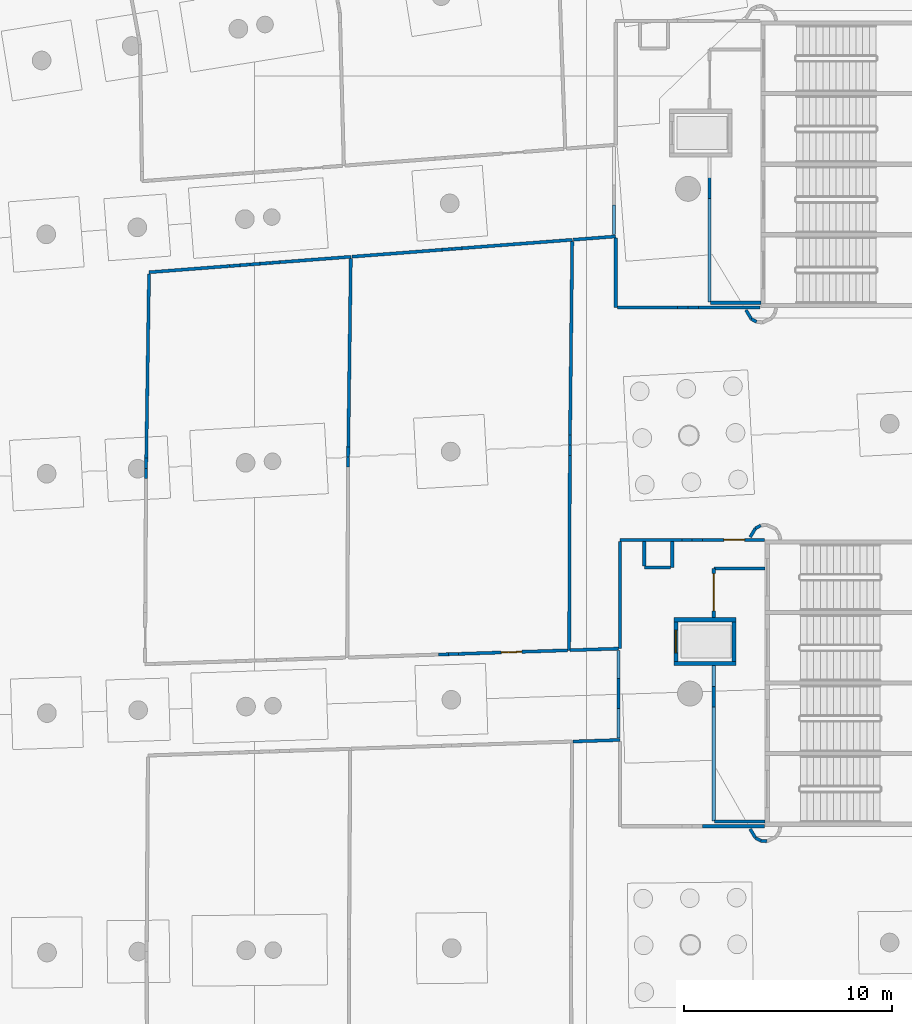
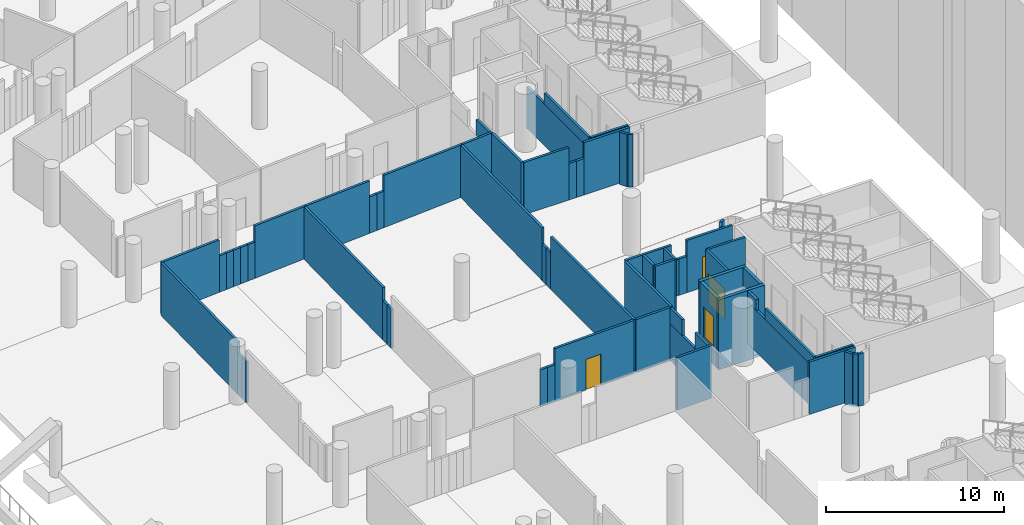
# One storey, part 83 of 142: 65 walls, 4 doors, 4 openings.
"""IFC4 building model written with IfcOpenShell, lengths in metres."""

import ifcopenshell
import ifcopenshell.guid

model = None  # the IFC model being written
_history = None  # IfcOwnerHistory: only IFC2X3 demands one
_inside = {}  # id of a spatial element -> (the spatial element, [elements in it])
_under = {}  # id of a project, library or spatial element -> (it, [spatial elements below it])
_declared = {}  # id of a project -> (the project, [libraries it declares])
_typed = {}  # id of a type object -> (the type object, [elements of that type])
_made_of = {}  # id of a material, layer set ... -> (it, [elements and type objects made of it])


def new_model(schema):
    """Start an empty IFC model of exactly this schema.

    Asked for "IFC4X3", IfcOpenShell would pick the latest addendum, in which some entities
    have other attributes; the version numbers below select the first issue.
    IFC2X3 requires an IfcOwnerHistory on every rooted entity: one is made here for all.
    """
    global model, _history
    if schema == "IFC4X3":
        model = ifcopenshell.file(schema_version=(4, 3, 0, 0))
    else:
        model = ifcopenshell.file(schema=schema)
    _inside.clear()
    _under.clear()
    _declared.clear()
    _typed.clear()
    _made_of.clear()
    _history = None
    if model.schema == "IFC2X3":
        org = make("IfcOrganization", Name="unknown")
        user = make(
            "IfcPersonAndOrganization",
            ThePerson=make("IfcPerson", FamilyName="unknown"),
            TheOrganization=org,
        )
        app = make(
            "IfcApplication",
            ApplicationDeveloper=org,
            Version="unknown",
            ApplicationFullName="unknown",
            ApplicationIdentifier="unknown",
        )
        _history = make(
            "IfcOwnerHistory",
            OwningUser=user,
            OwningApplication=app,
            ChangeAction="ADDED",
            CreationDate=0,
        )
    return model


def make(cls, **values):
    """One entity of the class cls with the attributes given. An attribute that is None is left unset."""
    return model.create_entity(
        cls, **{name: value for name, value in values.items() if value is not None}
    )


def rooted(cls, **values):
    """An entity with a GlobalId (a new one), such as an element, a storey or a relation."""
    return make(cls, GlobalId=ifcopenshell.guid.new(), OwnerHistory=_history, **values)


def si_unit(unit_type, name, prefix=None):
    """IfcSIUnit, for example si_unit("LENGTHUNIT", "METRE", prefix="MILLI")."""
    return make("IfcSIUnit", UnitType=unit_type, Prefix=prefix, Name=name)


def assignment(units):
    """IfcUnitAssignment: the units of a project."""
    return None if units is None else make("IfcUnitAssignment", Units=units)


def point(xyz):
    """IfcCartesianPoint."""
    return None if xyz is None else make("IfcCartesianPoint", Coordinates=xyz)


def direction(xyz):
    """IfcDirection."""
    return None if xyz is None else make("IfcDirection", DirectionRatios=xyz)


def frame(location, z_axis=None, x_axis=None):
    """IfcAxis2Placement3D, a coordinate frame: its origin and axes. An axis left out is left unset."""
    return make(
        "IfcAxis2Placement3D",
        Location=point(location),
        Axis=direction(z_axis),
        RefDirection=direction(x_axis),
    )


def frame_2d(location, x_axis=None):
    """IfcAxis2Placement2D, a coordinate frame in the plane: its origin and x axis."""
    return make(
        "IfcAxis2Placement2D", Location=point(location), RefDirection=direction(x_axis)
    )


def origin():
    """The frame at (0, 0, 0) with its axes left unset."""
    return frame((0.0, 0.0, 0.0))


def place(relative_to, where):
    """IfcLocalPlacement: puts the frame where relative to a parent placement (None: the world)."""
    return make(
        "IfcLocalPlacement", PlacementRelTo=relative_to, RelativePlacement=where
    )


def context(
    kind, dimensions, precision=None, world=None, true_north=None, identifier=None
):
    """IfcGeometricRepresentationContext, for example the 3D "Model" context."""
    return make(
        "IfcGeometricRepresentationContext",
        ContextIdentifier=identifier,
        ContextType=kind,
        CoordinateSpaceDimension=dimensions,
        Precision=precision,
        WorldCoordinateSystem=world,
        TrueNorth=true_north,
    )


def subcontext(parent, identifier, kind, view, scale=None):
    """IfcGeometricRepresentationSubContext, for example "Body" below "Model"."""
    return make(
        "IfcGeometricRepresentationSubContext",
        ContextIdentifier=identifier,
        ContextType=kind,
        ParentContext=parent,
        TargetScale=scale,
        TargetView=view,
    )


def project(units=None, contexts=None):
    """IfcProject with its units and contexts."""
    return rooted(
        "IfcProject",
        Name="project",
        RepresentationContexts=contexts,
        UnitsInContext=assignment(units),
    )


def spatial(cls, under=None, at=None, **own):
    """A site, building, storey or space (cls), placed at a placement, below another one or the project."""
    s = rooted(cls, ObjectPlacement=at, **own)
    if under is not None:
        _under.setdefault(under.id(), (under, []))[1].append(s)
    return s


def profile(cls, at=None, kind="AREA", **sizes):
    """A parametric profile (cls). Its sizes go by their IFC names, for example OverallWidth=200.0."""
    return make(cls, ProfileType=kind, Position=at, **sizes)


def rectangle(**sizes):
    """IfcRectangleProfileDef."""
    return profile("IfcRectangleProfileDef", **sizes)


def extrude(swept, where, along, depth):
    """IfcExtrudedAreaSolid: the profile swept, set in the frame where, extruded along a direction by depth."""
    return make(
        "IfcExtrudedAreaSolid",
        SweptArea=swept,
        Position=where,
        ExtrudedDirection=direction(along),
        Depth=depth,
    )


def shape(context_of_items, identifier, shape_type, items):
    """IfcShapeRepresentation: the items that make up one representation, for example the "Body"."""
    return make(
        "IfcShapeRepresentation",
        ContextOfItems=context_of_items,
        RepresentationIdentifier=identifier,
        RepresentationType=shape_type,
        Items=items,
    )


def material(Name=None, Category=None):
    """IfcMaterial."""
    return make("IfcMaterial", Name=Name, Category=Category)


def layer(
    of_material, thickness, ventilated=None, Name=None, Category=None, Priority=None
):
    """IfcMaterialLayer: one layer of a wall or slab, of a material (None: an air gap)."""
    return make(
        "IfcMaterialLayer",
        Material=of_material,
        LayerThickness=thickness,
        IsVentilated=ventilated,
        Name=Name,
        Category=Category,
        Priority=Priority,
    )


def layer_set(layers, Name=None):
    """IfcMaterialLayerSet."""
    return make("IfcMaterialLayerSet", MaterialLayers=layers, LayerSetName=Name)


def made_of(thing, what):
    """Note that an element or type object is made of a material, layer set ...; save() writes the relation."""
    if what is not None:
        _made_of.setdefault(what.id(), (what, []))[1].append(thing)
    return thing


def type_object(cls, material=None, **own):
    """A type object (cls), such as IfcWallType, which elements share."""
    return made_of(rooted(cls, **own), material)


def element(
    cls,
    number,
    at=None,
    inside=None,
    cuts=None,
    type_object=None,
    material=None,
    context=None,
    identifier="Body",
    shape_type=None,
    held_by="IfcProductDefinitionShape",
    body=None,
    shapes=None,
    **own,
):
    """One element of the class cls, such as IfcWall. Its Tag is "e" and its number.

    at: its placement. inside: the storey or other place that contains it. cuts: it is an
    opening in that element (IfcRelVoidsElement). A single representation is given by context,
    identifier, shape_type and body (its items); several are given by shapes. held_by: the class
    of the entity that holds the representations. save() writes the other relations.
    """
    e = rooted(cls, Tag="e%d" % number, ObjectPlacement=at, **own)
    if body is not None:
        shapes = [shape(context, identifier, shape_type, body)]
    if shapes is not None:
        e.Representation = make(held_by, Representations=shapes)
    if inside is not None:
        _inside.setdefault(inside.id(), (inside, []))[1].append(e)
    if cuts is not None:
        rooted(
            "IfcRelVoidsElement", RelatingBuildingElement=cuts, RelatedOpeningElement=e
        )
    if type_object is not None:
        _typed.setdefault(type_object.id(), (type_object, []))[1].append(e)
    return made_of(e, material)


def fill(opening, filler):
    """IfcRelFillsElement: the door or window that sits in an opening."""
    return rooted(
        "IfcRelFillsElement",
        RelatingOpeningElement=opening,
        RelatedBuildingElement=filler,
    )


def aggregate(whole, parts):
    """IfcRelAggregates: a whole, such as a stair, and the parts it consists of."""
    return rooted("IfcRelAggregates", RelatingObject=whole, RelatedObjects=parts)


def save(model, path):
    """Write the relations noted so far, then the file.

    IfcRelAggregates (storeys below a building ...), IfcRelContainedInSpatialStructure (elements
    in a storey), IfcRelDefinesByType, IfcRelAssociatesMaterial and IfcRelDeclares: one each for
    every whole, place, type object, material and project.
    """
    for whole, parts in _under.values():
        aggregate(whole, parts)
    for where, things in _inside.values():
        rooted(
            "IfcRelContainedInSpatialStructure",
            RelatedElements=things,
            RelatingStructure=where,
        )
    for kind, things in _typed.values():
        rooted("IfcRelDefinesByType", RelatedObjects=things, RelatingType=kind)
    for what, things in _made_of.values():
        rooted("IfcRelAssociatesMaterial", RelatedObjects=things, RelatingMaterial=what)
    for by, libraries in _declared.values():
        rooted("IfcRelDeclares", RelatingContext=by, RelatedDefinitions=libraries)
    model.write(path)


model = new_model("IFC4")

# Units and contexts
model_context = context("Model", 3, precision=1e-05, world=origin(), true_north=direction((0.0, 1.0)))
body_context = subcontext(model_context, "Body", "Model", "MODEL_VIEW")
ifc_project = project(units=[si_unit("LENGTHUNIT", "METRE"), si_unit("AREAUNIT", "SQUARE_METRE"), si_unit("VOLUMEUNIT", "CUBIC_METRE"), si_unit("PLANEANGLEUNIT", "RADIAN"), si_unit("MASSUNIT", "GRAM", prefix="KILO")], contexts=[model_context])

# Site, building, storey
site_placement = place(None, origin())
site = spatial("IfcSite", under=ifc_project, at=site_placement, CompositionType="ELEMENT")
building_placement = place(site_placement, origin())
building = spatial("IfcBuilding", under=site, at=building_placement, Name="Meseta Stadium", CompositionType="ELEMENT")
storey_placement = place(building_placement, frame((0.0, 0.0, -4.0)))
storey = spatial("IfcBuildingStorey", under=building, at=storey_placement, Name="B1", CompositionType="ELEMENT", Elevation=-4.0)

# Walls
ifc_material_1 = material(Name="Concrete C40/50", Category="concrete")
ifc_layer_1 = layer(ifc_material_1, 0.199951171875)
ifc_layer_set_1 = layer_set([ifc_layer_1], Name="Core shaft wall 200")
wall_type_1 = type_object("IfcWallType", Name="Core shaft wall 200", PredefinedType="SHEAR", material=ifc_layer_set_1)
for number, where, z_axis, x_axis, name in (
    (1, (87.199951171875, 19.699951171875, -1.199951171875), (0.0, 0.0, 1.0), (-1.0, 0.0, 0.0), "Core 04 B1 lift shaft wall left"),
    (2, (87.199951171875, 21.800048828125, -1.199951171875), (0.0, 0.0, 1.0), (-1.0, 0.0, 0.0), "Core 04 B1 lift shaft wall right"),
):
    element("IfcWall", number, at=place(storey_placement, frame(where, z_axis=z_axis, x_axis=x_axis)), inside=storey, type_object=wall_type_1, Name=name, PredefinedType="SHEAR", context=body_context, shape_type="SweptSolid", body=[
        extrude(rectangle(XDim=3.0, YDim=0.199951171875, at=frame_2d((1.5, 0.0))), origin(), (0.0, 0.0, 1.0), 4.800048828125),
    ])
wall_1_placement = place(storey_placement, frame((87.10009765625, 19.800048828125, -1.199951171875), z_axis=(0.0, 0.0, 1.0), x_axis=(0.0, 1.0, 0.0)))
element("IfcWall", 3, at=wall_1_placement, inside=storey, type_object=wall_type_1, Name="Core 04 B1 lift shaft back wall", PredefinedType="SHEAR", context=body_context, shape_type="SweptSolid", body=[
    extrude(rectangle(XDim=1.89990234375, YDim=0.199951171875, at=frame_2d((0.949951171875, 0.0))), origin(), (0.0, 0.0, 1.0), 4.800048828125),
])

# Wall, opening, door
wall_2_placement = place(storey_placement, frame((84.300048828125, 19.800048828125, -1.199951171875), z_axis=(0.0, 0.0, 1.0), x_axis=(0.0, 1.0, 0.0)))
wall_2 = element("IfcWall", 4, at=wall_2_placement, inside=storey, type_object=wall_type_1, Name="Core 04 B1 lift shaft front wall", PredefinedType="SHEAR", context=body_context, shape_type="SweptSolid", body=[
    extrude(rectangle(XDim=1.89990234375, YDim=0.199951171875, at=frame_2d((0.949951171875, 0.0))), origin(), (0.0, 0.0, 1.0), 4.800048828125),
])
opening_1_placement = place(wall_2_placement, frame((0.39990234375, 0.0, 1.199951171875)))
opening_1 = element("IfcOpeningElement", 5, at=opening_1_placement, cuts=wall_2, Name="Opening LD19", PredefinedType="OPENING", context=body_context, shape_type="SweptSolid", body=[
    extrude(rectangle(XDim=1.10009765625, YDim=2.10009765625, at=frame_2d((0.550048828125, 1.050048828125))), frame((0.0, 0.10986328125, 0.0), z_axis=(0.0, -1.0, 0.0), x_axis=(1.0, 0.0, 0.0)), (0.0, 0.0, 1.0), 0.219970703125),
])
ifc_material_2 = material(Name="Steel", Category="steel")
door_type_1 = type_object("IfcDoorType", Name="Lift landing door 1100x2100", OperationType="SLIDING_TO_LEFT", PredefinedType="DOOR", material=ifc_material_2)
door_1_placement = place(opening_1_placement, origin())
door_1 = element("IfcDoor", 6, at=door_1_placement, inside=storey, type_object=door_type_1, Name="Lift landing door LD19", OperationType="SLIDING_TO_LEFT", OverallHeight=2.10009765625, OverallWidth=1.10009765625, PredefinedType="DOOR", context=body_context, shape_type="SweptSolid", body=[
    extrude(rectangle(XDim=1.10009765625, YDim=2.10009765625, at=frame_2d((0.550048828125, 1.050048828125))), frame((0.0, 0.02490234375, 0.0), z_axis=(0.0, -1.0, 0.0), x_axis=(1.0, 0.0, 0.0)), (0.0, 0.0, 1.0), 0.050048828125),
])
fill(opening_1, door_1)

# Walls
ifc_material_3 = material(Name="Masonry blockwork", Category="masonry")
ifc_layer_2 = layer(ifc_material_3, 0.14990234375)
ifc_layer_set_2 = layer_set([ifc_layer_2], Name="Partition 150")
wall_type_2 = type_object("IfcWallType", Name="Partition 150", PredefinedType="PARTITIONING", material=ifc_layer_set_2)
wall_3_placement = place(storey_placement, frame((79.3515625, 15.935302734375, 0.0), z_axis=(0.0, 0.0, 1.0), x_axis=(0.999459266056, 0.032881233183, 0.0)))
element("IfcWall", 7, at=wall_3_placement, inside=storey, type_object=wall_type_2, Name="Partition B1 B1-cell02-3-0", PredefinedType="PARTITIONING", context=body_context, shape_type="SweptSolid", body=[
    extrude(rectangle(XDim=2.249755859375, YDim=0.14990234375, at=frame_2d((1.125, 0.0))), origin(), (0.0, 0.0, 1.0), 3.60009765625),
])
wall_4_placement = place(storey_placement, frame((85.5771484375, 11.85009765625, 0.0), z_axis=(0.0, 0.0, 1.0), x_axis=(1.0, 0.0, 0.0)))
element("IfcWall", 8, at=wall_4_placement, inside=storey, type_object=wall_type_2, Name="Partition B1 B1-cell02-3-0", PredefinedType="PARTITIONING", context=body_context, shape_type="SweptSolid", body=[
    extrude(rectangle(XDim=2.98291015625, YDim=0.14990234375, at=frame_2d((1.491455078125, 0.0))), origin(), (0.0, 0.0, 1.0), 3.60009765625),
])
wall_5_placement = place(storey_placement, frame((58.916259765625, 38.543701171875, 0.0), z_axis=(0.0, 0.0, 1.0), x_axis=(0.997069564425, 0.076500220238, 0.0)))
element("IfcWall", 9, at=wall_5_placement, inside=storey, type_object=wall_type_2, Name="Partition B1 B1-cell03-1-0", PredefinedType="PARTITIONING", context=body_context, shape_type="SweptSolid", body=[
    extrude(rectangle(XDim=3.89990234375, YDim=0.14990234375, at=frame_2d((1.949951171875, 0.0))), origin(), (0.0, 0.0, 1.0), 3.60009765625),
])
for number, where, z_axis, x_axis, name in (
    (10, (62.8046875, 38.842041015625, 0.0), (0.0, 0.0, 1.0), (0.997060374133, 0.076619908208, 0.0), "Partition B1 B1-cell03-1-0"),
    (11, (63.290771484375, 38.87939453125, 0.0), (0.0, 0.0, 1.0), (0.997060374133, 0.076619908208, 0.0), "Partition B1 B1-cell03-1-0"),
    (12, (63.77685546875, 38.916748046875, 0.0), (0.0, 0.0, 1.0), (0.997060374133, 0.076619908208, 0.0), "Partition B1 B1-cell03-1-0"),
    (13, (64.262939453125, 38.9541015625, 0.0), (0.0, 0.0, 1.0), (0.997060374133, 0.076619908208, 0.0), "Partition B1 B1-cell03-1-0"),
    (14, (64.7490234375, 38.991455078125, 0.0), (0.0, 0.0, 1.0), (0.997060374133, 0.076619908208, 0.0), "Partition B1 B1-cell03-1-0"),
):
    element("IfcWall", number, at=place(storey_placement, frame(where, z_axis=z_axis, x_axis=x_axis)), inside=storey, type_object=wall_type_2, Name=name, PredefinedType="PARTITIONING", context=body_context, shape_type="SweptSolid", body=[
        extrude(rectangle(XDim=0.487548828125, YDim=0.14990234375, at=frame_2d((0.24365234375, 0.0))), origin(), (0.0, 0.0, 1.0), 2.5),
    ])
wall_6_placement = place(storey_placement, frame((65.235107421875, 39.02880859375, 0.0), z_axis=(0.0, 0.0, 1.0), x_axis=(0.997071294737, 0.076477664783, 0.0)))
element("IfcWall", 15, at=wall_6_placement, inside=storey, type_object=wall_type_2, Name="Partition B1 B1-cell03-1-0", PredefinedType="PARTITIONING", context=body_context, shape_type="SweptSolid", body=[
    extrude(rectangle(XDim=3.41259765625, YDim=0.14990234375, at=frame_2d((1.706298828125, 0.0))), origin(), (0.0, 0.0, 1.0), 3.60009765625),
])
wall_7_placement = place(storey_placement, frame((68.63671875, 39.214599609375, 0.0), z_axis=(0.0, 0.0, 1.0), x_axis=(-0.013361477522, -0.999910731475, 0.0)))
element("IfcWall", 16, at=wall_7_placement, inside=storey, type_object=wall_type_2, Name="Partition B1 B1-cell03-1-0", PredefinedType="PARTITIONING", context=body_context, shape_type="SweptSolid", body=[
    extrude(rectangle(XDim=9.099365234375, YDim=0.14990234375, at=frame_2d((4.5498046875, 0.0))), origin(), (0.0, 0.0, 1.0), 3.60009765625),
])
wall_8_placement = place(storey_placement, frame((68.51513671875, 30.115966796875, 0.0), z_axis=(0.0, 0.0, 1.0), x_axis=(-0.013150102112, -0.999913533669, 0.0)))
element("IfcWall", 17, at=wall_8_placement, inside=storey, type_object=wall_type_2, Name="Partition B1 B1-cell03-1-0", PredefinedType="PARTITIONING", context=body_context, shape_type="SweptSolid", body=[
    extrude(rectangle(XDim=0.482666015625, YDim=0.14990234375, at=frame_2d((0.2412109375, 0.0))), origin(), (0.0, 0.0, 1.0), 2.699951171875),
])
wall_9_placement = place(storey_placement, frame((68.5087890625, 29.63330078125, 0.0), z_axis=(0.0, 0.0, 1.0), x_axis=(-0.005055547122, -0.99998722064, 0.0)))
element("IfcWall", 18, at=wall_9_placement, inside=storey, type_object=wall_type_2, Name="Partition B1 B1-cell03-1-0", PredefinedType="PARTITIONING", context=body_context, shape_type="SweptSolid", body=[
    extrude(rectangle(XDim=0.48291015625, YDim=0.14990234375, at=frame_2d((0.241455078125, 0.0))), origin(), (0.0, 0.0, 1.0), 2.699951171875),
])
wall_10_placement = place(storey_placement, frame((58.7705078125, 28.6025390625, 0.0), z_axis=(0.0, 0.0, 1.0), x_axis=(0.005405326438, 0.999985391116, 0.0)))
element("IfcWall", 19, at=wall_10_placement, inside=storey, type_object=wall_type_2, Name="Partition B1 B1-cell03-1-0", PredefinedType="PARTITIONING", context=body_context, shape_type="SweptSolid", body=[
    extrude(rectangle(XDim=0.496826171875, YDim=0.14990234375, at=frame_2d((0.24853515625, 0.0))), origin(), (0.0, 0.0, 1.0), 2.85009765625),
])
wall_11_placement = place(storey_placement, frame((58.773193359375, 29.099365234375, 0.0), z_axis=(0.0, 0.0, 1.0), x_axis=(0.015224168602, 0.999884105629, 0.0)))
element("IfcWall", 20, at=wall_11_placement, inside=storey, type_object=wall_type_2, Name="Partition B1 B1-cell03-1-0", PredefinedType="PARTITIONING", context=body_context, shape_type="SweptSolid", body=[
    extrude(rectangle(XDim=0.4970703125, YDim=0.14990234375, at=frame_2d((0.24853515625, 0.0))), origin(), (0.0, 0.0, 1.0), 2.85009765625),
])
wall_12_placement = place(storey_placement, frame((58.78076171875, 29.596435546875, 0.0), z_axis=(0.0, 0.0, 1.0), x_axis=(0.015133104524, 0.999885488017, 0.0)))
element("IfcWall", 21, at=wall_12_placement, inside=storey, type_object=wall_type_2, Name="Partition B1 B1-cell03-1-0", PredefinedType="PARTITIONING", context=body_context, shape_type="SweptSolid", body=[
    extrude(rectangle(XDim=8.873046875, YDim=0.14990234375, at=frame_2d((4.4365234375, 0.0))), origin(), (0.0, 0.0, 1.0), 3.60009765625),
])
wall_13_placement = place(storey_placement, frame((68.6875, 39.293701171875, 0.0), z_axis=(0.0, 0.0, 1.0), x_axis=(0.997066011247, 0.076546516684, 0.0)))
element("IfcWall", 22, at=wall_13_placement, inside=storey, type_object=wall_type_2, Name="Partition B1 B1-cell03-2-0", PredefinedType="PARTITIONING", context=body_context, shape_type="SweptSolid", body=[
    extrude(rectangle(XDim=4.356689453125, YDim=0.14990234375, at=frame_2d((2.17822265625, 0.0))), origin(), (0.0, 0.0, 1.0), 3.60009765625),
])
for number, where, z_axis, x_axis, name in (
    (23, (73.031494140625, 39.627197265625, 0.0), (0.0, 0.0, 1.0), (0.997095873835, 0.076156538669, 0.0), "Partition B1 B1-cell03-2-0"),
    (24, (73.51416015625, 39.6640625, 0.0), (0.0, 0.0, 1.0), (0.997057451394, 0.07665793253, 0.0), "Partition B1 B1-cell03-2-0"),
):
    element("IfcWall", number, at=place(storey_placement, frame(where, z_axis=z_axis, x_axis=x_axis)), inside=storey, type_object=wall_type_2, Name=name, PredefinedType="PARTITIONING", context=body_context, shape_type="SweptSolid", body=[
        extrude(rectangle(XDim=0.484130859375, YDim=0.14990234375, at=frame_2d((0.2421875, 0.0))), origin(), (0.0, 0.0, 1.0), 2.5),
    ])
wall_14_placement = place(storey_placement, frame((73.996826171875, 39.701171875, 0.0), z_axis=(0.0, 0.0, 1.0), x_axis=(0.997067954952, 0.076521194501, 0.0)))
element("IfcWall", 25, at=wall_14_placement, inside=storey, type_object=wall_type_2, Name="Partition B1 B1-cell03-2-0", PredefinedType="PARTITIONING", context=body_context, shape_type="SweptSolid", body=[
    extrude(rectangle(XDim=5.324951171875, YDim=0.14990234375, at=frame_2d((2.66259765625, 0.0))), origin(), (0.0, 0.0, 1.0), 3.60009765625),
])
wall_15_placement = place(storey_placement, frame((79.305419921875, 40.033447265625, 0.0), z_axis=(0.0, 0.0, 1.0), x_axis=(-0.011498912263, -0.999933885323, 0.0)))
element("IfcWall", 26, at=wall_15_placement, inside=storey, type_object=wall_type_2, Name="Partition B1 B1-cell03-2-0", PredefinedType="PARTITIONING", context=body_context, shape_type="SweptSolid", body=[
    extrude(rectangle(XDim=9.32080078125, YDim=0.14990234375, at=frame_2d((4.660400390625, 0.0))), origin(), (0.0, 0.0, 1.0), 3.60009765625),
])
for number, where, z_axis, x_axis, name in (
    (27, (79.1982421875, 30.71337890625, 0.0), (0.0, 0.0, 1.0), (-0.011357292143, -0.999935503878, 0.0), "Partition B1 B1-cell03-2-0"),
    (28, (79.192626953125, 30.218994140625, 0.0), (0.0, 0.0, 1.0), (-0.00345676947, -0.999994025355, 0.0), "Partition B1 B1-cell03-2-0"),
):
    element("IfcWall", number, at=place(storey_placement, frame(where, z_axis=z_axis, x_axis=x_axis)), inside=storey, type_object=wall_type_2, Name=name, PredefinedType="PARTITIONING", context=body_context, shape_type="SweptSolid", body=[
        extrude(rectangle(XDim=0.494384765625, YDim=0.14990234375, at=frame_2d((0.2470703125, 0.0))), origin(), (0.0, 0.0, 1.0), 2.5),
    ])
wall_16_placement = place(storey_placement, frame((79.19091796875, 29.724609375, 0.0), z_axis=(0.0, 0.0, 1.0), x_axis=(-0.003612711966, -0.999993474135, 0.0)))
element("IfcWall", 29, at=wall_16_placement, inside=storey, type_object=wall_type_2, Name="Partition B1 B1-cell03-2-0", PredefinedType="PARTITIONING", context=body_context, shape_type="SweptSolid", body=[
    extrude(rectangle(XDim=9.393310546875, YDim=0.14990234375, at=frame_2d((4.69677734375, 0.0))), origin(), (0.0, 0.0, 1.0), 3.60009765625),
])

# Wall, opening, door
wall_17_placement = place(storey_placement, frame((79.08203125, 20.328857421875, 0.0), z_axis=(0.0, 0.0, 1.0), x_axis=(-0.999459366608, -0.032878176633, 0.0)))
wall_17 = element("IfcWall", 30, at=wall_17_placement, inside=storey, type_object=wall_type_2, Name="Partition B1 B1-cell03-2-0", PredefinedType="PARTITIONING", context=body_context, shape_type="SweptSolid", body=[
    extrude(rectangle(XDim=5.25, YDim=0.14990234375, at=frame_2d((2.625, 0.0))), origin(), (0.0, 0.0, 1.0), 3.60009765625),
])
opening_2_placement = place(wall_17_placement, frame((2.199951171875, 0.0, 0.0)))
opening_2 = element("IfcOpeningElement", 31, at=opening_2_placement, cuts=wall_17, Name="Opening D443", PredefinedType="OPENING", context=body_context, shape_type="SweptSolid", body=[
    extrude(rectangle(XDim=1.0, YDim=2.10009765625, at=frame_2d((0.5, 1.050048828125))), frame((0.0, 0.0849609375, 0.0), z_axis=(0.0, -1.0, 0.0), x_axis=(1.0, 0.0, 0.0)), (0.0, 0.0, 1.0), 0.169921875),
])
ifc_material_4 = material(Name="Steel", Category="steel")
door_type_2 = type_object("IfcDoorType", Name="Fire door 1000x2100 EI2 60", OperationType="NOTDEFINED", PredefinedType="DOOR", material=ifc_material_4)
door_2_placement = place(opening_2_placement, origin())
door_2 = element("IfcDoor", 32, at=door_2_placement, inside=storey, type_object=door_type_2, Name="Door D443", OperationType="SINGLE_SWING_RIGHT", OverallHeight=2.10009765625, OverallWidth=1.0, PredefinedType="DOOR", context=body_context, shape_type="SweptSolid", body=[
    extrude(rectangle(XDim=1.0, YDim=2.10009765625, at=frame_2d((0.5, 1.050048828125))), frame((0.0, 0.02490234375, 0.0), z_axis=(0.0, -1.0, 0.0), x_axis=(1.0, 0.0, 0.0)), (0.0, 0.0, 1.0), 0.050048828125),
])
fill(opening_2, door_2)

# Walls
for number, where, z_axis, x_axis, name in (
    (33, (73.8349609375, 20.15625, 0.0), (0.0, 0.0, 1.0), (-0.99946267225, -0.03277753466, 0.0), "Partition B1 B1-cell03-2-0"),
    (34, (73.35107421875, 20.140380859375, 0.0), (0.0, 0.0, 1.0), (-0.99946267225, -0.03277753466, 0.0), "Partition B1 B1-cell03-2-0"),
):
    element("IfcWall", number, at=place(storey_placement, frame(where, z_axis=z_axis, x_axis=x_axis)), inside=storey, type_object=wall_type_2, Name=name, PredefinedType="PARTITIONING", context=body_context, shape_type="SweptSolid", body=[
        extrude(rectangle(XDim=0.484130859375, YDim=0.14990234375, at=frame_2d((0.2421875, 0.0))), origin(), (0.0, 0.0, 1.0), 2.5),
    ])

# Wall, opening, door
wall_18_placement = place(storey_placement, frame((88.56005859375, 25.64990234375, 0.0), z_axis=(0.0, 0.0, 1.0), x_axis=(-1.0, 0.0, 0.0)))
wall_18 = element("IfcWall", 35, at=wall_18_placement, inside=storey, type_object=wall_type_2, Name="Partition B1 B1-cell03-3-0", PredefinedType="PARTITIONING", context=body_context, shape_type="SweptSolid", body=[
    extrude(rectangle(XDim=2.98291015625, YDim=0.14990234375, at=frame_2d((1.491455078125, 0.0))), origin(), (0.0, 0.0, 1.0), 3.60009765625),
])
opening_3_placement = place(wall_18_placement, frame((0.949951171875, 0.0, 0.0)))
opening_3 = element("IfcOpeningElement", 36, at=opening_3_placement, cuts=wall_18, Name="Opening D444", PredefinedType="OPENING", context=body_context, shape_type="SweptSolid", body=[
    extrude(rectangle(XDim=1.0, YDim=2.10009765625, at=frame_2d((0.5, 1.050048828125))), frame((0.0, 0.0849609375, 0.0), z_axis=(0.0, -1.0, 0.0), x_axis=(1.0, 0.0, 0.0)), (0.0, 0.0, 1.0), 0.169921875),
])
door_3_placement = place(opening_3_placement, origin())
door_3 = element("IfcDoor", 37, at=door_3_placement, inside=storey, type_object=door_type_2, Name="Door D444", OperationType="SINGLE_SWING_LEFT", OverallHeight=2.10009765625, OverallWidth=1.0, PredefinedType="DOOR", context=body_context, shape_type="SweptSolid", body=[
    extrude(rectangle(XDim=1.0, YDim=2.10009765625, at=frame_2d((0.5, 1.050048828125))), frame((0.0, 0.02490234375, 0.0), z_axis=(0.0, -1.0, 0.0), x_axis=(1.0, 0.0, 0.0)), (0.0, 0.0, 1.0), 0.050048828125),
])
fill(opening_3, door_3)

# Walls
for number, where, z_axis, x_axis, name in (
    (38, (85.5771484375, 25.64990234375, 0.0), (0.0, 0.0, 1.0), (-1.0, 0.0, 0.0), "Partition B1 B1-cell03-3-0"),
    (39, (85.080078125, 25.64990234375, 0.0), (0.0, 0.0, 1.0), (-1.0, 0.0, 0.0), "Partition B1 B1-cell03-3-0"),
):
    element("IfcWall", number, at=place(storey_placement, frame(where, z_axis=z_axis, x_axis=x_axis)), inside=storey, type_object=wall_type_2, Name=name, PredefinedType="PARTITIONING", context=body_context, shape_type="SweptSolid", body=[
        extrude(rectangle(XDim=0.4970703125, YDim=0.14990234375, at=frame_2d((0.24853515625, 0.0))), origin(), (0.0, 0.0, 1.0), 2.5),
    ])
wall_19_placement = place(storey_placement, frame((84.5830078125, 25.64990234375, 0.0), z_axis=(0.0, 0.0, 1.0), x_axis=(-1.0, 0.0, 0.0)))
element("IfcWall", 40, at=wall_19_placement, inside=storey, type_object=wall_type_2, Name="Partition B1 B1-cell03-3-0", PredefinedType="PARTITIONING", context=body_context, shape_type="SweptSolid", body=[
    extrude(rectangle(XDim=2.98291015625, YDim=0.14990234375, at=frame_2d((1.491455078125, 0.0))), origin(), (0.0, 0.0, 1.0), 3.60009765625),
])
wall_20_placement = place(storey_placement, frame((81.60009765625, 25.574951171875, 0.0), z_axis=(0.0, 0.0, 1.0), x_axis=(0.0, -1.0, 0.0)))
element("IfcWall", 41, at=wall_20_placement, inside=storey, type_object=wall_type_2, Name="Partition B1 B1-cell03-3-0", PredefinedType="PARTITIONING", context=body_context, shape_type="SweptSolid", body=[
    extrude(rectangle(XDim=5.163330078125, YDim=0.14990234375, at=frame_2d((2.58154296875, 0.0))), origin(), (0.0, 0.0, 1.0), 3.60009765625),
])
wall_21_placement = place(storey_placement, frame((81.52490234375, 20.4091796875, 0.0), z_axis=(0.0, 0.0, 1.0), x_axis=(-0.999460453172, -0.032845129702, 0.0)))
element("IfcWall", 42, at=wall_21_placement, inside=storey, type_object=wall_type_2, Name="Partition B1 B1-cell03-3-0", PredefinedType="PARTITIONING", context=body_context, shape_type="SweptSolid", body=[
    extrude(rectangle(XDim=2.319091796875, YDim=0.14990234375, at=frame_2d((1.15966796875, 0.0))), origin(), (0.0, 0.0, 1.0), 3.60009765625),
])
wall_22_placement = place(storey_placement, frame((79.35595703125, 40.112548828125, 0.0), z_axis=(0.0, 0.0, 1.0), x_axis=(0.997072672084, 0.076459705623, 0.0)))
element("IfcWall", 43, at=wall_22_placement, inside=storey, type_object=wall_type_2, Name="Partition B1 B1-cell03-3-0", PredefinedType="PARTITIONING", context=body_context, shape_type="SweptSolid", body=[
    extrude(rectangle(XDim=2.050048828125, YDim=0.14990234375, at=frame_2d((1.02490234375, 0.0))), origin(), (0.0, 0.0, 1.0), 3.60009765625),
])
wall_23_placement = place(storey_placement, frame((81.39990234375, 40.194091796875, 0.0), z_axis=(0.0, 0.0, 1.0), x_axis=(0.0, -1.0, 0.0)))
element("IfcWall", 44, at=wall_23_placement, inside=storey, type_object=wall_type_2, Name="Partition B1 B1-cell03-3-0", PredefinedType="PARTITIONING", context=body_context, shape_type="SweptSolid", body=[
    extrude(rectangle(XDim=3.343994140625, YDim=0.14990234375, at=frame_2d((1.671875, 0.0))), origin(), (0.0, 0.0, 1.0), 3.60009765625),
])
wall_24_placement = place(storey_placement, frame((81.47509765625, 36.85009765625, 0.0), z_axis=(0.0, 0.0, 1.0), x_axis=(1.0, 0.0, 0.0)))
element("IfcWall", 45, at=wall_24_placement, inside=storey, type_object=wall_type_2, Name="Partition B1 B1-cell03-3-0", PredefinedType="PARTITIONING", context=body_context, shape_type="SweptSolid", body=[
    extrude(rectangle(XDim=2.90771484375, YDim=0.14990234375, at=frame_2d((1.453857421875, 0.0))), origin(), (0.0, 0.0, 1.0), 3.60009765625),
])
wall_25_placement = place(storey_placement, frame((84.3828125, 36.85009765625, 0.0), z_axis=(0.0, 0.0, 1.0), x_axis=(1.0, 0.0, 0.0)))
element("IfcWall", 46, at=wall_25_placement, inside=storey, type_object=wall_type_2, Name="Partition B1 B1-cell03-3-0", PredefinedType="PARTITIONING", context=body_context, shape_type="SweptSolid", body=[
    extrude(rectangle(XDim=0.4970703125, YDim=0.14990234375, at=frame_2d((0.24853515625, 0.0))), origin(), (0.0, 0.0, 1.0), 2.5),
])
wall_26_placement = place(storey_placement, frame((84.8798828125, 36.85009765625, 0.0), z_axis=(0.0, 0.0, 1.0), x_axis=(1.0, 0.0, 0.0)))
element("IfcWall", 47, at=wall_26_placement, inside=storey, type_object=wall_type_2, Name="Partition B1 B1-cell03-3-0", PredefinedType="PARTITIONING", context=body_context, shape_type="SweptSolid", body=[
    extrude(rectangle(XDim=0.497314453125, YDim=0.14990234375, at=frame_2d((0.24853515625, 0.0))), origin(), (0.0, 0.0, 1.0), 2.5),
])
wall_27_placement = place(storey_placement, frame((85.377197265625, 36.85009765625, 0.0), z_axis=(0.0, 0.0, 1.0), x_axis=(1.0, 0.0, 0.0)))
element("IfcWall", 48, at=wall_27_placement, inside=storey, type_object=wall_type_2, Name="Partition B1 B1-cell03-3-0", PredefinedType="PARTITIONING", context=body_context, shape_type="SweptSolid", body=[
    extrude(rectangle(XDim=2.98291015625, YDim=0.14990234375, at=frame_2d((1.491455078125, 0.0))), origin(), (0.0, 0.0, 1.0), 3.60009765625),
])
wall_28_placement = place(storey_placement, frame((84.125, 24.324951171875, 0.0), z_axis=(0.0, 0.0, 1.0), x_axis=(0.0, 1.0, 0.0)))
element("IfcWall", 49, at=wall_28_placement, inside=storey, type_object=wall_type_2, Name="Pressurisation shaft wall B1 core 04", PredefinedType="PARTITIONING", context=body_context, shape_type="SweptSolid", body=[
    extrude(rectangle(XDim=1.2490234375, YDim=0.14990234375, at=frame_2d((0.62451171875, 0.0))), origin(), (0.0, 0.0, 1.0), 3.60009765625),
])
wall_29_placement = place(storey_placement, frame((82.77490234375, 25.573974609375, 0.0), z_axis=(0.0, 0.0, 1.0), x_axis=(0.0, -1.0, 0.0)))
element("IfcWall", 50, at=wall_29_placement, inside=storey, type_object=wall_type_2, Name="Pressurisation shaft wall B1 core 04", PredefinedType="PARTITIONING", context=body_context, shape_type="SweptSolid", body=[
    extrude(rectangle(XDim=1.174072265625, YDim=0.14990234375, at=frame_2d((0.5869140625, 0.0))), origin(), (0.0, 0.0, 1.0), 3.60009765625),
])
wall_30_placement = place(storey_placement, frame((82.77490234375, 24.324951171875, 0.0), z_axis=(0.0, 0.0, 1.0), x_axis=(1.0, 0.0, 0.0)))
element("IfcWall", 51, at=wall_30_placement, inside=storey, type_object=wall_type_2, Name="Pressurisation shaft wall B1 core 04", PredefinedType="PARTITIONING", context=body_context, shape_type="SweptSolid", body=[
    extrude(rectangle(XDim=1.275146484375, YDim=0.14990234375, at=frame_2d((0.6376953125, 0.0))), origin(), (0.0, 0.0, 1.0), 3.60009765625),
])
wall_31_placement = place(storey_placement, frame((86.159912109375, 12.074951171875, 0.0), z_axis=(0.0, 0.0, 1.0), x_axis=(1.0, 0.0, 0.0)))
element("IfcWall", 52, at=wall_31_placement, inside=storey, type_object=wall_type_2, Name="Stair vestibule wall B1 core 04", PredefinedType="PARTITIONING", context=body_context, shape_type="SweptSolid", body=[
    extrude(rectangle(XDim=2.43017578125, YDim=0.14990234375, at=frame_2d((1.215087890625, 0.0))), origin(), (0.0, 0.0, 1.0), 3.60009765625),
])
wall_32_placement = place(storey_placement, frame((88.590087890625, 24.27490234375, 0.0), z_axis=(0.0, 0.0, 1.0), x_axis=(-1.0, 0.0, 0.0)))
element("IfcWall", 53, at=wall_32_placement, inside=storey, type_object=wall_type_2, Name="Stair vestibule wall B1 core 04", PredefinedType="PARTITIONING", context=body_context, shape_type="SweptSolid", body=[
    extrude(rectangle(XDim=2.465087890625, YDim=0.14990234375, at=frame_2d((1.232421875, 0.0))), origin(), (0.0, 0.0, 1.0), 3.60009765625),
])

# Wall, opening, door
wall_33_placement = place(storey_placement, frame((86.125, 24.27490234375, 0.0), z_axis=(0.0, 0.0, 1.0), x_axis=(0.0, -1.0, 0.0)))
wall_33 = element("IfcWall", 54, at=wall_33_placement, inside=storey, type_object=wall_type_2, Name="Stair vestibule wall B1 core 04", PredefinedType="PARTITIONING", context=body_context, shape_type="SweptSolid", body=[
    extrude(rectangle(XDim=2.364990234375, YDim=0.14990234375, at=frame_2d((1.1826171875, 0.0))), origin(), (0.0, 0.0, 1.0), 3.60009765625),
])
opening_4_placement = place(wall_33_placement, frame((0.25, 0.0, 0.0)))
opening_4 = element("IfcOpeningElement", 55, at=opening_4_placement, cuts=wall_33, Name="Opening D717", PredefinedType="OPENING", context=body_context, shape_type="SweptSolid", body=[
    extrude(rectangle(XDim=1.800048828125, YDim=2.10009765625, at=frame_2d((0.89990234375, 1.050048828125))), frame((0.0, 0.0849609375, 0.0), z_axis=(0.0, -1.0, 0.0), x_axis=(1.0, 0.0, 0.0)), (0.0, 0.0, 1.0), 0.169921875),
])
ifc_material_5 = material(Name="Steel", Category="steel")
door_type_3 = type_object("IfcDoorType", Name="Fire double door 1800x2100 EI2 60", OperationType="DOUBLE_DOOR_SINGLE_SWING", PredefinedType="DOOR", material=ifc_material_5)
door_4_placement = place(opening_4_placement, origin())
door_4 = element("IfcDoor", 56, at=door_4_placement, inside=storey, type_object=door_type_3, Name="Stair vestibule door B1 core 04", OperationType="DOUBLE_DOOR_SINGLE_SWING", OverallHeight=2.10009765625, OverallWidth=1.800048828125, PredefinedType="DOOR", context=body_context, shape_type="SweptSolid", body=[
    extrude(rectangle(XDim=1.800048828125, YDim=2.10009765625, at=frame_2d((0.89990234375, 1.050048828125))), frame((0.0, 0.02490234375, 0.0), z_axis=(0.0, -1.0, 0.0), x_axis=(1.0, 0.0, 0.0)), (0.0, 0.0, 1.0), 0.050048828125),
])
fill(opening_4, door_4)

# Walls
wall_34_placement = place(storey_placement, frame((86.125, 19.590087890625, 0.0), z_axis=(0.0, 0.0, 1.0), x_axis=(0.0, -1.0, 0.0)))
element("IfcWall", 57, at=wall_34_placement, inside=storey, type_object=wall_type_2, Name="Stair vestibule wall B1 core 04", PredefinedType="PARTITIONING", context=body_context, shape_type="SweptSolid", body=[
    extrude(rectangle(XDim=7.47998046875, YDim=0.14990234375, at=frame_2d((3.739990234375, 0.0))), origin(), (0.0, 0.0, 1.0), 2.85009765625),
])
wall_35_placement = place(storey_placement, frame((86.125, 19.590087890625, 2.85009765625), z_axis=(0.0, 0.0, 1.0), x_axis=(0.0, -1.0, 0.0)))
element("IfcWall", 58, at=wall_35_placement, inside=storey, type_object=wall_type_2, Name="Stair vestibule wall B1 core 04", PredefinedType="PARTITIONING", context=body_context, shape_type="SweptSolid", body=[
    extrude(rectangle(XDim=0.997314453125, YDim=0.14990234375, at=frame_2d((0.49853515625, 0.0))), origin(), (0.0, 0.0, 1.0), 0.75),
])
wall_36_placement = place(storey_placement, frame((86.125, 17.59521484375, 2.85009765625), z_axis=(0.0, 0.0, 1.0), x_axis=(0.0, -1.0, 0.0)))
element("IfcWall", 59, at=wall_36_placement, inside=storey, type_object=wall_type_2, Name="Stair vestibule wall B1 core 04", PredefinedType="PARTITIONING", context=body_context, shape_type="SweptSolid", body=[
    extrude(rectangle(XDim=5.485107421875, YDim=0.14990234375, at=frame_2d((2.74267578125, 0.0))), origin(), (0.0, 0.0, 1.0), 0.75),
])
wall_37_placement = place(storey_placement, frame((81.52490234375, 20.330810546875, 0.0), z_axis=(0.0, 0.0, 1.0), x_axis=(0.0, -1.0, 0.0)))
element("IfcWall", 60, at=wall_37_placement, inside=storey, type_object=wall_type_2, Name="Stair vestibule wall B1 core 04", PredefinedType="PARTITIONING", context=body_context, shape_type="SweptSolid", body=[
    extrude(rectangle(XDim=4.236572265625, YDim=0.14990234375, at=frame_2d((2.1181640625, 0.0))), origin(), (0.0, 0.0, 1.0), 2.5),
])
wall_38_placement = place(storey_placement, frame((81.52490234375, 20.330810546875, 2.5), z_axis=(0.0, 0.0, 1.0), x_axis=(0.0, -1.0, 0.0)))
element("IfcWall", 61, at=wall_38_placement, inside=storey, type_object=wall_type_2, Name="Stair vestibule wall B1 core 04", PredefinedType="PARTITIONING", context=body_context, shape_type="SweptSolid", body=[
    extrude(rectangle(XDim=1.364990234375, YDim=0.14990234375, at=frame_2d((0.6826171875, 0.0))), origin(), (0.0, 0.0, 1.0), 1.10009765625),
])
wall_39_placement = place(storey_placement, frame((81.52490234375, 17.530029296875, 2.5), z_axis=(0.0, 0.0, 1.0), x_axis=(0.0, -1.0, 0.0)))
element("IfcWall", 62, at=wall_39_placement, inside=storey, type_object=wall_type_2, Name="Stair vestibule wall B1 core 04", PredefinedType="PARTITIONING", context=body_context, shape_type="SweptSolid", body=[
    extrude(rectangle(XDim=1.435791015625, YDim=0.14990234375, at=frame_2d((0.7177734375, 0.0))), origin(), (0.0, 0.0, 1.0), 1.10009765625),
])
wall_40_placement = place(storey_placement, frame((87.877197265625, 11.720947265625, 0.0), z_axis=(0.0, 0.0, 1.0), x_axis=(0.513060623194, -0.858352373404, 0.0)))
element("IfcWall", 63, at=wall_40_placement, inside=storey, type_object=wall_type_2, Name="Stair vestibule wall B1 core 04", PredefinedType="PARTITIONING", context=body_context, shape_type="SweptSolid", body=[
    extrude(rectangle(XDim=0.50048828125, YDim=0.14990234375, at=frame_2d((0.250244140625, 0.0))), origin(), (0.0, 0.0, 1.0), 3.60009765625),
])
for number, where, z_axis, x_axis, name in (
    (64, (88.134033203125, 11.291259765625, 0.0), (0.0, 0.0, 1.0), (0.881768319, -0.471682765858, 0.0), "Stair vestibule wall B1 core 04"),
    (65, (88.38916015625, 11.15478515625, 0.0), (0.0, 0.0, 1.0), (0.995194714408, -0.097915680128, 0.0), "Stair vestibule wall B1 core 04"),
    (66, (88.38916015625, 26.34521484375, 0.0), (0.0, 0.0, 1.0), (-0.881768319, -0.471682765858, 0.0), "Stair vestibule wall B1 core 04"),
):
    element("IfcWall", number, at=place(storey_placement, frame(where, z_axis=z_axis, x_axis=x_axis)), inside=storey, type_object=wall_type_2, Name=name, PredefinedType="PARTITIONING", context=body_context, shape_type="SweptSolid", body=[
        extrude(rectangle(XDim=0.289306640625, YDim=0.14990234375, at=frame_2d((0.14453125, 0.0))), origin(), (0.0, 0.0, 1.0), 3.60009765625),
    ])
wall_41_placement = place(storey_placement, frame((88.134033203125, 26.208740234375, 0.0), z_axis=(0.0, 0.0, 1.0), x_axis=(-0.513060623194, -0.858352373404, 0.0)))
element("IfcWall", 67, at=wall_41_placement, inside=storey, type_object=wall_type_2, Name="Stair vestibule wall B1 core 04", PredefinedType="PARTITIONING", context=body_context, shape_type="SweptSolid", body=[
    extrude(rectangle(XDim=0.50048828125, YDim=0.14990234375, at=frame_2d((0.250244140625, 0.0))), origin(), (0.0, 0.0, 1.0), 3.60009765625),
])
wall_42_placement = place(storey_placement, frame((85.9599609375, 37.074951171875, 0.0), z_axis=(0.0, 0.0, 1.0), x_axis=(1.0, 0.0, 0.0)))
element("IfcWall", 68, at=wall_42_placement, inside=storey, type_object=wall_type_2, Name="Stair vestibule wall B1 core 05", PredefinedType="PARTITIONING", context=body_context, shape_type="SweptSolid", body=[
    extrude(rectangle(XDim=2.429931640625, YDim=0.14990234375, at=frame_2d((1.21484375, 0.0))), origin(), (0.0, 0.0, 1.0), 3.60009765625),
])
wall_43_placement = place(storey_placement, frame((85.925048828125, 44.090087890625, 0.0), z_axis=(0.0, 0.0, 1.0), x_axis=(0.0, -1.0, 0.0)))
element("IfcWall", 69, at=wall_43_placement, inside=storey, type_object=wall_type_2, Name="Stair vestibule wall B1 core 05", PredefinedType="PARTITIONING", context=body_context, shape_type="SweptSolid", body=[
    extrude(rectangle(XDim=6.97998046875, YDim=0.14990234375, at=frame_2d((3.489990234375, 0.0))), origin(), (0.0, 0.0, 1.0), 2.85009765625),
])
wall_44_placement = place(storey_placement, frame((85.925048828125, 42.095703125, 2.85009765625), z_axis=(0.0, 0.0, 1.0), x_axis=(0.0, -1.0, 0.0)))
element("IfcWall", 70, at=wall_44_placement, inside=storey, type_object=wall_type_2, Name="Stair vestibule wall B1 core 05", PredefinedType="PARTITIONING", context=body_context, shape_type="SweptSolid", body=[
    extrude(rectangle(XDim=4.985595703125, YDim=0.14990234375, at=frame_2d((2.49267578125, 0.0))), origin(), (0.0, 0.0, 1.0), 0.75),
])
wall_45_placement = place(storey_placement, frame((81.324951171875, 41.793212890625, 2.5), z_axis=(0.0, 0.0, 1.0), x_axis=(0.0, -1.0, 0.0)))
element("IfcWall", 71, at=wall_45_placement, inside=storey, type_object=wall_type_2, Name="Stair vestibule wall B1 core 05", PredefinedType="PARTITIONING", context=body_context, shape_type="SweptSolid", body=[
    extrude(rectangle(XDim=1.439453125, YDim=0.14990234375, at=frame_2d((0.7197265625, 0.0))), origin(), (0.0, 0.0, 1.0), 1.10009765625),
])
wall_46_placement = place(storey_placement, frame((87.67724609375, 36.720947265625, 0.0), z_axis=(0.0, 0.0, 1.0), x_axis=(0.513060623194, -0.858352373404, 0.0)))
element("IfcWall", 72, at=wall_46_placement, inside=storey, type_object=wall_type_2, Name="Stair vestibule wall B1 core 05", PredefinedType="PARTITIONING", context=body_context, shape_type="SweptSolid", body=[
    extrude(rectangle(XDim=0.50048828125, YDim=0.14990234375, at=frame_2d((0.250244140625, 0.0))), origin(), (0.0, 0.0, 1.0), 3.60009765625),
])
wall_47_placement = place(storey_placement, frame((87.93408203125, 36.291259765625, 0.0), z_axis=(0.0, 0.0, 1.0), x_axis=(0.881768319, -0.471682765858, 0.0)))
element("IfcWall", 73, at=wall_47_placement, inside=storey, type_object=wall_type_2, Name="Stair vestibule wall B1 core 05", PredefinedType="PARTITIONING", context=body_context, shape_type="SweptSolid", body=[
    extrude(rectangle(XDim=0.289306640625, YDim=0.14990234375, at=frame_2d((0.14453125, 0.0))), origin(), (0.0, 0.0, 1.0), 3.60009765625),
])

save(model, "model.ifc")
